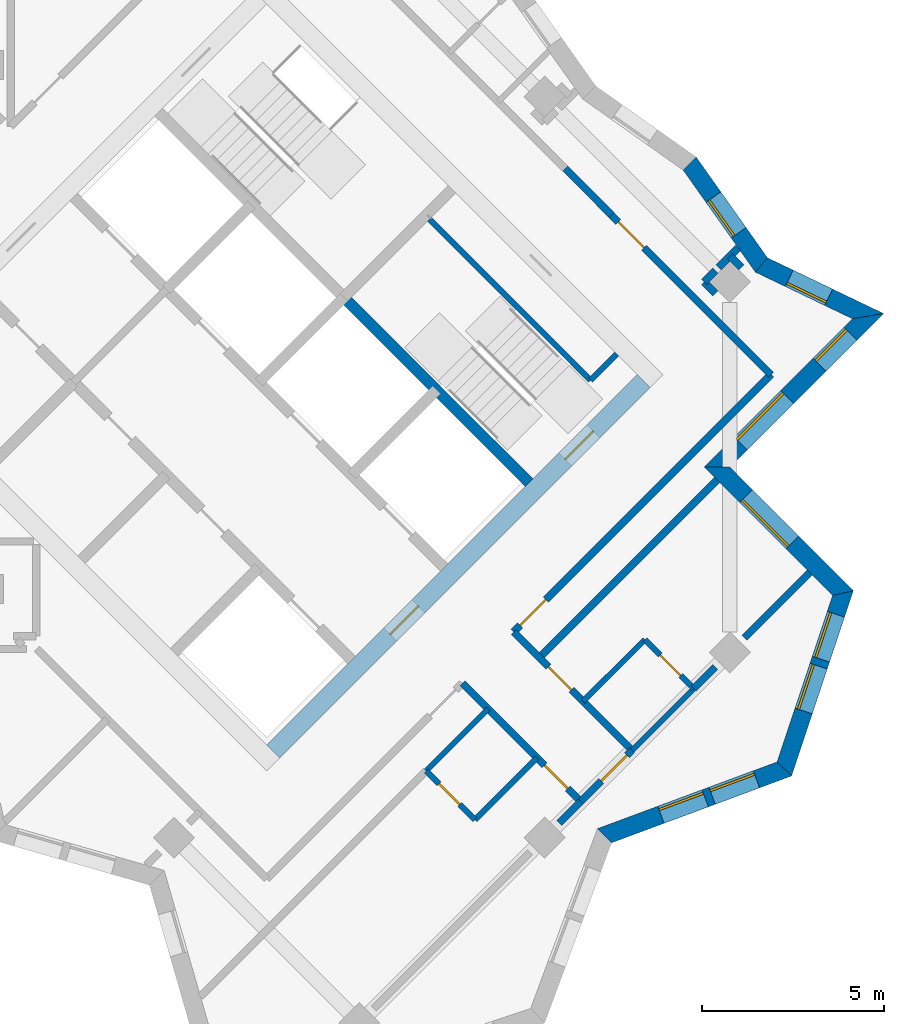
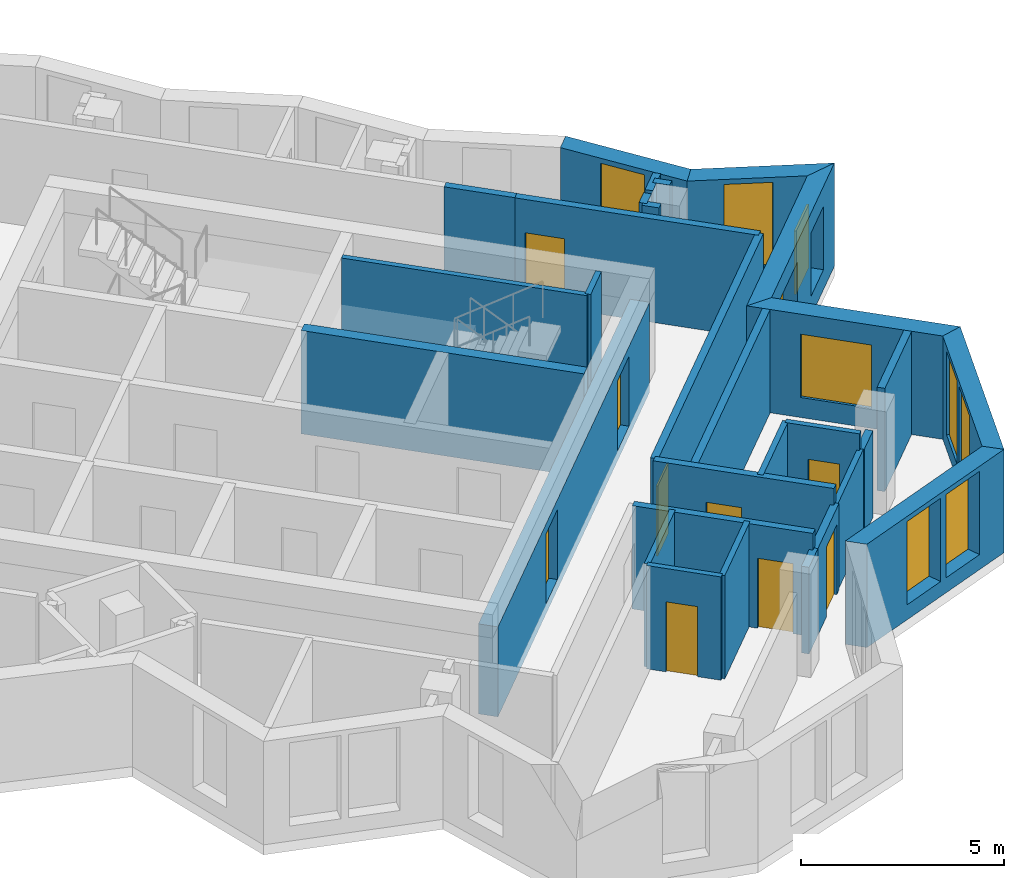
# One storey, part 9 of 13: 30 walls, 9 doors, 9 windows, 18 openings.
"""IFC4 building model written with IfcOpenShell, lengths in metres."""

from ifc_helpers import new_model, si_unit, direction, frame, frame_2d, origin, place, context, subcontext, project, spatial, polyline, rectangle, outline, extrude, material, layer, layer_set, type_object, element, fill, save


model = new_model("IFC4")

# Units and contexts
model_context = context("Model", 3, precision=1e-05, world=origin(), true_north=direction((0.0, 1.0)))
body_context = subcontext(model_context, "Body", "Model", "MODEL_VIEW")
ifc_project = project(units=[si_unit("LENGTHUNIT", "METRE"), si_unit("AREAUNIT", "SQUARE_METRE"), si_unit("VOLUMEUNIT", "CUBIC_METRE"), si_unit("PLANEANGLEUNIT", "RADIAN"), si_unit("MASSUNIT", "GRAM", prefix="KILO")], contexts=[model_context])

# Site, building, storey
site_placement = place(None, origin())
site = spatial("IfcSite", under=ifc_project, at=site_placement, CompositionType="ELEMENT")
building_placement = place(site_placement, origin())
building = spatial("IfcBuilding", under=site, at=building_placement, Name="Windrow Commons", CompositionType="ELEMENT")
storey_placement = place(building_placement, frame((0.0, 0.0, 220.2)))
storey = spatial("IfcBuildingStorey", under=building, at=storey_placement, Name="L60", CompositionType="ELEMENT", Elevation=220.2)

# Wall, openings, windows
ifc_material_1 = material(Name="Brick masonry, red clay brick", Category="masonry")
ifc_layer_1 = layer(ifc_material_1, 0.5)
ifc_layer_set_1 = layer_set([ifc_layer_1], Name="Brick facade wall 500")
wall_type_1 = type_object("IfcWallType", Name="Brick facade wall 500", PredefinedType="SOLIDWALL", material=ifc_layer_set_1)
wall_1_placement = place(storey_placement, frame((96.1175, 36.4148, 0.0), z_axis=(0.0, 0.0, 1.0), x_axis=(0.9374238577, 0.3481903374, 0.0)))
wall_1 = element("IfcWall", 1, at=wall_1_placement, inside=storey, type_object=wall_type_1, Name="Brick facade wall L60 3", PredefinedType="SOLIDWALL", context=body_context, shape_type="SweptSolid", body=[
    extrude(outline(polyline([(0.1146, -0.25), (5.3947, -0.25), (5.1552, 0.25), (-0.1146, 0.25), (0.1146, -0.25)])), origin(), (0.0, 0.0, 1.0), 3.1),
])
opening_1_placement = place(wall_1_placement, frame((1.655, 0.0, 0.45)))
opening_1 = element("IfcOpeningElement", 2, at=opening_1_placement, cuts=wall_1, Name="Opening W1Q", PredefinedType="OPENING", context=body_context, shape_type="SweptSolid", body=[
    extrude(rectangle(XDim=1.3, YDim=2.5, at=frame_2d((0.65, 1.25))), frame((0.0, 0.26, 0.0), z_axis=(0.0, -1.0, 0.0), x_axis=(1.0, 0.0, 0.0)), (0.0, 0.0, 1.0), 0.52),
])
opening_2_placement = place(wall_1_placement, frame((3.155, 0.0, 0.45)))
opening_2 = element("IfcOpeningElement", 3, at=opening_2_placement, cuts=wall_1, Name="Opening W1Q", PredefinedType="OPENING", context=body_context, shape_type="SweptSolid", body=[
    extrude(rectangle(XDim=1.3, YDim=2.5, at=frame_2d((0.65, 1.25))), frame((0.0, 0.26, 0.0), z_axis=(0.0, -1.0, 0.0), x_axis=(1.0, 0.0, 0.0)), (0.0, 0.0, 1.0), 0.52),
])
ifc_material_2 = material(Name="Clear float glass in anodised aluminium frame", Category="aluminium")
window_type_1 = type_object("IfcWindowType", Name="Window W1Q pair 1300x2500", PartitioningType="SINGLE_PANEL", PredefinedType="WINDOW", material=ifc_material_2)
window_1_placement = place(opening_1_placement, origin())
window_1 = element("IfcWindow", 4, at=window_1_placement, inside=storey, type_object=window_type_1, Name="Window L60 3.1A", OverallHeight=2.5, OverallWidth=1.3, PartitioningType="SINGLE_PANEL", PredefinedType="WINDOW", context=body_context, shape_type="SweptSolid", body=[
    extrude(rectangle(XDim=1.3, YDim=2.5, at=frame_2d((0.65, 1.25))), frame((0.0, 0.18, 0.0), z_axis=(0.0, -1.0, 0.0), x_axis=(1.0, 0.0, 0.0)), (0.0, 0.0, 1.0), 0.06),
])
fill(opening_1, window_1)
window_2_placement = place(opening_2_placement, origin())
window_2 = element("IfcWindow", 5, at=window_2_placement, inside=storey, type_object=window_type_1, Name="Window L60 3.1B", OverallHeight=2.5, OverallWidth=1.3, PartitioningType="SINGLE_PANEL", PredefinedType="WINDOW", context=body_context, shape_type="SweptSolid", body=[
    extrude(rectangle(XDim=1.3, YDim=2.5, at=frame_2d((0.65, 1.25))), frame((0.0, 0.18, 0.0), z_axis=(0.0, -1.0, 0.0), x_axis=(1.0, 0.0, 0.0)), (0.0, 0.0, 1.0), 0.06),
])
fill(opening_2, window_2)

wall_2_placement = place(storey_placement, frame((101.0624, 38.2515, 0.0), z_axis=(0.0, 0.0, 1.0), x_axis=(0.3162395484, 0.9486793705, 0.0)))
wall_2 = element("IfcWall", 6, at=wall_2_placement, inside=storey, type_object=wall_type_1, Name="Brick facade wall L60 4", PredefinedType="SOLIDWALL", context=body_context, shape_type="SweptSolid", body=[
    extrude(outline(polyline([(-0.1197, -0.25), (5.2468, -0.25), (4.9378, 0.25), (0.1197, 0.25), (-0.1197, -0.25)])), origin(), (0.0, 0.0, 1.0), 3.1),
])
opening_3_placement = place(wall_2_placement, frame((1.6796, 0.0, 0.45)))
opening_3 = element("IfcOpeningElement", 7, at=opening_3_placement, cuts=wall_2, Name="Opening W1Q", PredefinedType="OPENING", context=body_context, shape_type="SweptSolid", body=[
    extrude(rectangle(XDim=1.3, YDim=2.5, at=frame_2d((0.65, 1.25))), frame((0.0, 0.26, 0.0), z_axis=(0.0, -1.0, 0.0), x_axis=(1.0, 0.0, 0.0)), (0.0, 0.0, 1.0), 0.52),
])
opening_4_placement = place(wall_2_placement, frame((3.1796, 0.0, 0.45)))
opening_4 = element("IfcOpeningElement", 8, at=opening_4_placement, cuts=wall_2, Name="Opening W1Q", PredefinedType="OPENING", context=body_context, shape_type="SweptSolid", body=[
    extrude(rectangle(XDim=1.3, YDim=2.5, at=frame_2d((0.65, 1.25))), frame((0.0, 0.26, 0.0), z_axis=(0.0, -1.0, 0.0), x_axis=(1.0, 0.0, 0.0)), (0.0, 0.0, 1.0), 0.52),
])
window_3_placement = place(opening_3_placement, origin())
window_3 = element("IfcWindow", 9, at=window_3_placement, inside=storey, type_object=window_type_1, Name="Window L60 4.1A", OverallHeight=2.5, OverallWidth=1.3, PartitioningType="SINGLE_PANEL", PredefinedType="WINDOW", context=body_context, shape_type="SweptSolid", body=[
    extrude(rectangle(XDim=1.3, YDim=2.5, at=frame_2d((0.65, 1.25))), frame((0.0, 0.18, 0.0), z_axis=(0.0, -1.0, 0.0), x_axis=(1.0, 0.0, 0.0)), (0.0, 0.0, 1.0), 0.06),
])
fill(opening_3, window_3)
window_4_placement = place(opening_4_placement, origin())
window_4 = element("IfcWindow", 10, at=window_4_placement, inside=storey, type_object=window_type_1, Name="Window L60 4.1B", OverallHeight=2.5, OverallWidth=1.3, PartitioningType="SINGLE_PANEL", PredefinedType="WINDOW", context=body_context, shape_type="SweptSolid", body=[
    extrude(rectangle(XDim=1.3, YDim=2.5, at=frame_2d((0.65, 1.25))), frame((0.0, 0.18, 0.0), z_axis=(0.0, -1.0, 0.0), x_axis=(1.0, 0.0, 0.0)), (0.0, 0.0, 1.0), 0.06),
])
fill(opening_4, window_4)

# Wall, opening, window
wall_3_placement = place(storey_placement, frame((102.6728, 43.0825, 0.0), z_axis=(0.0, 0.0, 1.0), x_axis=(-0.7071067812, 0.7071067812, 0.0)))
wall_3 = element("IfcWall", 11, at=wall_3_placement, inside=storey, type_object=wall_type_1, Name="Brick facade wall L60 5", PredefinedType="SOLIDWALL", context=body_context, shape_type="SweptSolid", body=[
    extrude(outline(polyline([(-0.1545, -0.25), (4.6455, -0.25), (5.1455, 0.25), (0.1545, 0.25), (-0.1545, -0.25)])), origin(), (0.0, 0.0, 1.0), 3.1),
])
opening_5_placement = place(wall_3_placement, frame((1.9705, 0.0, 0.6)))
opening_5 = element("IfcOpeningElement", 12, at=opening_5_placement, cuts=wall_3, Name="Opening W1L", PredefinedType="OPENING", context=body_context, shape_type="SweptSolid", body=[
    extrude(rectangle(XDim=1.8, YDim=1.9, at=frame_2d((0.9, 0.95))), frame((0.0, 0.26, 0.0), z_axis=(0.0, -1.0, 0.0), x_axis=(1.0, 0.0, 0.0)), (0.0, 0.0, 1.0), 0.52),
])
ifc_material_3 = material(Name="Clear float glass in anodised aluminium frame", Category="aluminium")
window_type_2 = type_object("IfcWindowType", Name="Window W1L bedroom 1800x1900", PartitioningType="SINGLE_PANEL", PredefinedType="WINDOW", material=ifc_material_3)
window_5_placement = place(opening_5_placement, origin())
window_5 = element("IfcWindow", 13, at=window_5_placement, inside=storey, type_object=window_type_2, Name="Window L60 5.1", OverallHeight=1.9, OverallWidth=1.8, PartitioningType="SINGLE_PANEL", PredefinedType="WINDOW", context=body_context, shape_type="SweptSolid", body=[
    extrude(rectangle(XDim=1.8, YDim=1.9, at=frame_2d((0.9, 0.95))), frame((0.0, 0.18, 0.0), z_axis=(0.0, -1.0, 0.0), x_axis=(1.0, 0.0, 0.0)), (0.0, 0.0, 1.0), 0.06),
])
fill(opening_5, window_5)

# Wall, openings, windows
wall_4_placement = place(storey_placement, frame((99.2111, 46.5442, 0.0), z_axis=(0.0, 0.0, 1.0), x_axis=(0.7071067812, 0.7071067812, 0.0)))
wall_4 = element("IfcWall", 14, at=wall_4_placement, inside=storey, type_object=wall_type_1, Name="Brick facade wall L60 6", PredefinedType="SOLIDWALL", context=body_context, shape_type="SweptSolid", body=[
    extrude(outline(polyline([(0.25, -0.25), (6.222, -0.25), (5.5165, 0.25), (-0.25, 0.25), (0.25, -0.25)])), origin(), (0.0, 0.0, 1.0), 3.1),
])
opening_6_placement = place(wall_4_placement, frame((0.925, 0.0, 0.6)))
opening_6 = element("IfcOpeningElement", 15, at=opening_6_placement, cuts=wall_4, Name="Opening W1L", PredefinedType="OPENING", context=body_context, shape_type="SweptSolid", body=[
    extrude(rectangle(XDim=1.8, YDim=1.9, at=frame_2d((0.9, 0.95))), frame((0.0, 0.26, 0.0), z_axis=(0.0, -1.0, 0.0), x_axis=(1.0, 0.0, 0.0)), (0.0, 0.0, 1.0), 0.52),
])
opening_7_placement = place(wall_4_placement, frame((3.9832, 0.0, 0.6)))
opening_7 = element("IfcOpeningElement", 16, at=opening_7_placement, cuts=wall_4, Name="Opening W7G", PredefinedType="OPENING", context=body_context, shape_type="SweptSolid", body=[
    extrude(rectangle(XDim=1.2, YDim=1.9, at=frame_2d((0.6, 0.95))), frame((0.0, 0.26, 0.0), z_axis=(0.0, -1.0, 0.0), x_axis=(1.0, 0.0, 0.0)), (0.0, 0.0, 1.0), 0.52),
])
window_6_placement = place(opening_6_placement, origin())
window_6 = element("IfcWindow", 17, at=window_6_placement, inside=storey, type_object=window_type_2, Name="Window L60 6.1", OverallHeight=1.9, OverallWidth=1.8, PartitioningType="SINGLE_PANEL", PredefinedType="WINDOW", context=body_context, shape_type="SweptSolid", body=[
    extrude(rectangle(XDim=1.8, YDim=1.9, at=frame_2d((0.9, 0.95))), frame((0.0, 0.18, 0.0), z_axis=(0.0, -1.0, 0.0), x_axis=(1.0, 0.0, 0.0)), (0.0, 0.0, 1.0), 0.06),
])
fill(opening_6, window_6)
ifc_material_4 = material(Name="Clear float glass in anodised aluminium frame", Category="aluminium")
window_type_3 = type_object("IfcWindowType", Name="Window W7 notch 1200x1900", PartitioningType="SINGLE_PANEL", PredefinedType="WINDOW", material=ifc_material_4)
window_7_placement = place(opening_7_placement, origin())
window_7 = element("IfcWindow", 18, at=window_7_placement, inside=storey, type_object=window_type_3, Name="Window L60 6.2", OverallHeight=1.9, OverallWidth=1.2, PartitioningType="SINGLE_PANEL", PredefinedType="WINDOW", context=body_context, shape_type="SweptSolid", body=[
    extrude(rectangle(XDim=1.2, YDim=1.9, at=frame_2d((0.6, 0.95))), frame((0.0, 0.18, 0.0), z_axis=(0.0, -1.0, 0.0), x_axis=(1.0, 0.0, 0.0)), (0.0, 0.0, 1.0), 0.06),
])
fill(opening_7, window_7)

# Wall, opening, window
wall_5_placement = place(storey_placement, frame((103.3613, 50.6944, 0.0), z_axis=(0.0, 0.0, 1.0), x_axis=(-0.9014217251, 0.4329421133, 0.0)))
wall_5 = element("IfcWall", 19, at=wall_5_placement, inside=storey, type_object=wall_type_1, Name="Brick facade wall L60 7", PredefinedType="SOLIDWALL", context=body_context, shape_type="SweptSolid", body=[
    extrude(outline(polyline([(-0.3527, -0.25), (3.1853, -0.25), (3.3149, 0.25), (0.3527, 0.25), (-0.3527, -0.25)])), origin(), (0.0, 0.0, 1.0), 3.1),
])
opening_8_placement = place(wall_5_placement, frame((1.2014, 0.0, 0.45)))
opening_8 = element("IfcOpeningElement", 20, at=opening_8_placement, cuts=wall_5, Name="Opening W7E", PredefinedType="OPENING", context=body_context, shape_type="SweptSolid", body=[
    extrude(rectangle(XDim=1.2, YDim=2.5, at=frame_2d((0.6, 1.25))), frame((0.0, 0.26, 0.0), z_axis=(0.0, -1.0, 0.0), x_axis=(1.0, 0.0, 0.0)), (0.0, 0.0, 1.0), 0.52),
])
ifc_material_5 = material(Name="Clear float glass in anodised aluminium frame", Category="aluminium")
window_type_4 = type_object("IfcWindowType", Name="Window W7 notch 1200x2500", PartitioningType="SINGLE_PANEL", PredefinedType="WINDOW", material=ifc_material_5)
window_8_placement = place(opening_8_placement, origin())
window_8 = element("IfcWindow", 21, at=window_8_placement, inside=storey, type_object=window_type_4, Name="Window L60 7.1", OverallHeight=2.5, OverallWidth=1.2, PartitioningType="SINGLE_PANEL", PredefinedType="WINDOW", context=body_context, shape_type="SweptSolid", body=[
    extrude(rectangle(XDim=1.2, YDim=2.5, at=frame_2d((0.6, 1.25))), frame((0.0, 0.18, 0.0), z_axis=(0.0, -1.0, 0.0), x_axis=(1.0, 0.0, 0.0)), (0.0, 0.0, 1.0), 0.06),
])
fill(opening_8, window_8)

wall_6_placement = place(storey_placement, frame((100.4316, 52.1015, 0.0), z_axis=(0.0, 0.0, 1.0), x_axis=(-0.5775248088, 0.8163731348, 0.0)))
wall_6 = element("IfcWall", 22, at=wall_6_placement, inside=storey, type_object=wall_type_1, Name="Brick facade wall L60 8", PredefinedType="SOLIDWALL", context=body_context, shape_type="SweptSolid", body=[
    extrude(outline(polyline([(0.0648, -0.25), (3.4517, -0.25), (3.366, 0.25), (-0.0648, 0.25), (0.0648, -0.25)])), origin(), (0.0, 0.0, 1.0), 3.1),
])
opening_9_placement = place(wall_6_placement, frame((1.083, 0.0, 0.45)))
opening_9 = element("IfcOpeningElement", 23, at=opening_9_placement, cuts=wall_6, Name="Opening W7E", PredefinedType="OPENING", context=body_context, shape_type="SweptSolid", body=[
    extrude(rectangle(XDim=1.2, YDim=2.5, at=frame_2d((0.6, 1.25))), frame((0.0, 0.26, 0.0), z_axis=(0.0, -1.0, 0.0), x_axis=(1.0, 0.0, 0.0)), (0.0, 0.0, 1.0), 0.52),
])
window_9_placement = place(opening_9_placement, origin())
window_9 = element("IfcWindow", 24, at=window_9_placement, inside=storey, type_object=window_type_4, Name="Window L60 8.1", OverallHeight=2.5, OverallWidth=1.2, PartitioningType="SINGLE_PANEL", PredefinedType="WINDOW", context=body_context, shape_type="SweptSolid", body=[
    extrude(rectangle(XDim=1.2, YDim=2.5, at=frame_2d((0.6, 1.25))), frame((0.0, 0.18, 0.0), z_axis=(0.0, -1.0, 0.0), x_axis=(1.0, 0.0, 0.0)), (0.0, 0.0, 1.0), 0.06),
])
fill(opening_9, window_9)

# Wall, opening, door
ifc_material_6 = material(Name="Blockwork partition", Category="masonry")
ifc_layer_2 = layer(ifc_material_6, 0.2)
ifc_layer_set_2 = layer_set([ifc_layer_2], Name="IW-CORRIDOR-200")
wall_type_2 = type_object("IfcWallType", Name="IW-CORRIDOR-200", PredefinedType="PARTITIONING", material=ifc_layer_set_2)
wall_7_placement = place(storey_placement, frame((93.6253, 42.0207, 0.0), z_axis=(0.0, 0.0, 1.0), x_axis=(0.7071067812, 0.7071067812, 0.0)))
wall_7 = element("IfcWall", 25, at=wall_7_placement, inside=storey, type_object=wall_type_2, Name="W-L60-W009", PredefinedType="PARTITIONING", context=body_context, shape_type="SweptSolid", body=[
    extrude(rectangle(XDim=9.9985, YDim=0.2, at=frame_2d((4.9992, 0.0))), origin(), (0.0, 0.0, 1.0), 3.1),
])
opening_10_placement = place(wall_7_placement, frame((0.2476, 0.0, 0.0)))
opening_10 = element("IfcOpeningElement", 26, at=opening_10_placement, cuts=wall_7, Name="Opening D310F", PredefinedType="OPENING", context=body_context, shape_type="SweptSolid", body=[
    extrude(rectangle(XDim=1.0, YDim=2.1, at=frame_2d((0.5, 1.05))), frame((0.0, 0.11, 0.0), z_axis=(0.0, -1.0, 0.0), x_axis=(1.0, 0.0, 0.0)), (0.0, 0.0, 1.0), 0.22),
])
ifc_material_7 = material(Name="Timber door leaf", Category="wood")
door_type_1 = type_object("IfcDoorType", Name="DT-AMENITY-1000", OperationType="SINGLE_SWING_LEFT", PredefinedType="DOOR", material=ifc_material_7)
door_1_placement = place(opening_10_placement, origin())
door_1 = element("IfcDoor", 27, at=door_1_placement, inside=storey, type_object=door_type_1, Name="D-L60-D045", OperationType="SINGLE_SWING_LEFT", OverallHeight=2.1, OverallWidth=1.0, PredefinedType="DOOR", context=body_context, shape_type="SweptSolid", body=[
    extrude(rectangle(XDim=1.0, YDim=2.1, at=frame_2d((0.5, 1.05))), frame((0.0, 0.025, 0.0), z_axis=(0.0, -1.0, 0.0), x_axis=(1.0, 0.0, 0.0)), (0.0, 0.0, 1.0), 0.05),
])
fill(opening_10, door_1)

wall_8_placement = place(storey_placement, frame((96.3087, 53.4707, 0.0), z_axis=(0.0, 0.0, 1.0), x_axis=(0.7071067812, -0.7071067812, 0.0)))
wall_8 = element("IfcWall", 28, at=wall_8_placement, inside=storey, type_object=wall_type_2, Name="W-L60-W025", PredefinedType="PARTITIONING", context=body_context, shape_type="SweptSolid", body=[
    extrude(rectangle(XDim=6.1999, YDim=0.2, at=frame_2d((3.1, 0.0))), origin(), (0.0, 0.0, 1.0), 3.1),
])
opening_11_placement = place(wall_8_placement, frame((0.2626, 0.0, 0.0)))
opening_11 = element("IfcOpeningElement", 29, at=opening_11_placement, cuts=wall_8, Name="Opening D310F", PredefinedType="OPENING", context=body_context, shape_type="SweptSolid", body=[
    extrude(rectangle(XDim=1.0, YDim=2.1, at=frame_2d((0.5, 1.05))), frame((0.0, 0.11, 0.0), z_axis=(0.0, -1.0, 0.0), x_axis=(1.0, 0.0, 0.0)), (0.0, 0.0, 1.0), 0.22),
])
door_2_placement = place(opening_11_placement, origin())
door_2 = element("IfcDoor", 30, at=door_2_placement, inside=storey, type_object=door_type_1, Name="D-L60-D048", OperationType="SINGLE_SWING_LEFT", OverallHeight=2.1, OverallWidth=1.0, PredefinedType="DOOR", context=body_context, shape_type="SweptSolid", body=[
    extrude(rectangle(XDim=1.0, YDim=2.1, at=frame_2d((0.5, 1.05))), frame((0.0, 0.025, 0.0), z_axis=(0.0, -1.0, 0.0), x_axis=(1.0, 0.0, 0.0)), (0.0, 0.0, 1.0), 0.05),
])
fill(opening_11, door_2)

wall_9_placement = place(storey_placement, frame((93.6226, 42.0146, 0.0), z_axis=(0.0, 0.0, 1.0), x_axis=(0.7071067812, -0.7071067812, 0.0)))
wall_9 = element("IfcWall", 31, at=wall_9_placement, inside=storey, type_object=wall_type_2, Name="W-L60-W038", PredefinedType="PARTITIONING", context=body_context, shape_type="SweptSolid", body=[
    extrude(rectangle(XDim=4.599, YDim=0.2, at=frame_2d((2.2995, 0.0))), origin(), (0.0, 0.0, 1.0), 3.1),
])
opening_12_placement = place(wall_9_placement, frame((1.3488, 0.0, 0.0)))
opening_12 = element("IfcOpeningElement", 32, at=opening_12_placement, cuts=wall_9, Name="Opening D109S", PredefinedType="OPENING", context=body_context, shape_type="SweptSolid", body=[
    extrude(rectangle(XDim=0.9, YDim=2.1, at=frame_2d((0.45, 1.05))), frame((0.0, 0.11, 0.0), z_axis=(0.0, -1.0, 0.0), x_axis=(1.0, 0.0, 0.0)), (0.0, 0.0, 1.0), 0.22),
])
ifc_material_8 = material(Name="Timber door leaf", Category="wood")
door_type_2 = type_object("IfcDoorType", Name="DT-BEDROOM-900", OperationType="SINGLE_SWING_LEFT", PredefinedType="DOOR", material=ifc_material_8)
door_3_placement = place(opening_12_placement, origin())
door_3 = element("IfcDoor", 33, at=door_3_placement, inside=storey, type_object=door_type_2, Name="D-L60-D052", OperationType="SINGLE_SWING_RIGHT", OverallHeight=2.1, OverallWidth=0.9, PredefinedType="DOOR", context=body_context, shape_type="SweptSolid", body=[
    extrude(rectangle(XDim=0.9, YDim=2.1, at=frame_2d((0.45, 1.05))), frame((0.0, 0.025, 0.0), z_axis=(0.0, -1.0, 0.0), x_axis=(1.0, 0.0, 0.0)), (0.0, 0.0, 1.0), 0.05),
])
fill(opening_12, door_3)

wall_10_placement = place(storey_placement, frame((92.2155, 40.6075, 0.0), z_axis=(0.0, 0.0, 1.0), x_axis=(0.7071067812, -0.7071067812, 0.0)))
wall_10 = element("IfcWall", 34, at=wall_10_placement, inside=storey, type_object=wall_type_2, Name="W-L60-W039", PredefinedType="PARTITIONING", context=body_context, shape_type="SweptSolid", body=[
    extrude(rectangle(XDim=4.599, YDim=0.2, at=frame_2d((2.2995, 0.0))), origin(), (0.0, 0.0, 1.0), 3.1),
])
opening_13_placement = place(wall_10_placement, frame((3.1888, 0.0, 0.0)))
opening_13 = element("IfcOpeningElement", 35, at=opening_13_placement, cuts=wall_10, Name="Opening D109S", PredefinedType="OPENING", context=body_context, shape_type="SweptSolid", body=[
    extrude(rectangle(XDim=0.9, YDim=2.1, at=frame_2d((0.45, 1.05))), frame((0.0, 0.11, 0.0), z_axis=(0.0, -1.0, 0.0), x_axis=(1.0, 0.0, 0.0)), (0.0, 0.0, 1.0), 0.22),
])
door_4_placement = place(opening_13_placement, origin())
door_4 = element("IfcDoor", 36, at=door_4_placement, inside=storey, type_object=door_type_2, Name="D-L60-D054", OperationType="SINGLE_SWING_LEFT", OverallHeight=2.1, OverallWidth=0.9, PredefinedType="DOOR", context=body_context, shape_type="SweptSolid", body=[
    extrude(rectangle(XDim=0.9, YDim=2.1, at=frame_2d((0.45, 1.05))), frame((0.0, 0.025, 0.0), z_axis=(0.0, -1.0, 0.0), x_axis=(1.0, 0.0, 0.0)), (0.0, 0.0, 1.0), 0.05),
])
fill(opening_13, door_4)

wall_11_placement = place(storey_placement, frame((95.463, 37.353, 0.0), z_axis=(0.0, 0.0, 1.0), x_axis=(0.7071067812, 0.7071067812, 0.0)))
wall_11 = element("IfcWall", 37, at=wall_11_placement, inside=storey, type_object=wall_type_2, Name="W-L60-W111", PredefinedType="PARTITIONING", context=body_context, shape_type="SweptSolid", body=[
    extrude(rectangle(XDim=1.9997, YDim=0.2, at=frame_2d((0.9999, 0.0))), origin(), (0.0, 0.0, 1.0), 2.6),
])
opening_14_placement = place(wall_11_placement, frame((0.8023, 0.0, 0.0)))
opening_14 = element("IfcOpeningElement", 38, at=opening_14_placement, cuts=wall_11, Name="Opening D310F", PredefinedType="OPENING", context=body_context, shape_type="SweptSolid", body=[
    extrude(rectangle(XDim=1.0, YDim=2.1, at=frame_2d((0.5, 1.05))), frame((0.0, 0.11, 0.0), z_axis=(0.0, -1.0, 0.0), x_axis=(1.0, 0.0, 0.0)), (0.0, 0.0, 1.0), 0.22),
])
door_5_placement = place(opening_14_placement, origin())
door_5 = element("IfcDoor", 39, at=door_5_placement, inside=storey, type_object=door_type_1, Name="D-L60-D056", OperationType="SINGLE_SWING_RIGHT", OverallHeight=2.1, OverallWidth=1.0, PredefinedType="DOOR", context=body_context, shape_type="SweptSolid", body=[
    extrude(rectangle(XDim=1.0, YDim=2.1, at=frame_2d((0.5, 1.05))), frame((0.0, 0.025, 0.0), z_axis=(0.0, -1.0, 0.0), x_axis=(1.0, 0.0, 0.0)), (0.0, 0.0, 1.0), 0.05),
])
fill(opening_14, door_5)

# Walls
wall_12_placement = place(storey_placement, frame((95.0411, 54.7491, 0.0), z_axis=(0.0, 0.0, 1.0), x_axis=(0.7065510983, -0.7076620277, 0.0)))
element("IfcWall", 40, at=wall_12_placement, inside=storey, type_object=wall_type_2, Name="W-L60-W126", PredefinedType="PARTITIONING", context=body_context, shape_type="SweptSolid", body=[
    extrude(rectangle(XDim=1.8003, YDim=0.2, at=frame_2d((0.9002, 0.0))), origin(), (0.0, 0.0, 1.0), 3.1),
])
ifc_material_9 = material(Name="Blockwork partition", Category="masonry")
ifc_layer_3 = layer(ifc_material_9, 0.15)
ifc_layer_set_3 = layer_set([ifc_layer_3], Name="IW-ENSUITE-150")
wall_type_3 = type_object("IfcWallType", Name="IW-ENSUITE-150", PredefinedType="PARTITIONING", material=ifc_layer_set_3)
for number, where, z_axis, x_axis, name in (
    (41, (92.5629, 36.8571, 0.0), (0.0, 0.0, 1.0), (0.7071067812, 0.7071067812, 0.0), "W-L60-W071"),
    (42, (91.2194, 38.2006, 0.0), (0.0, 0.0, 1.0), (0.7071067812, 0.7071067812, 0.0), "W-L60-W072"),
):
    element("IfcWall", number, at=place(storey_placement, frame(where, z_axis=z_axis, x_axis=x_axis)), inside=storey, type_object=wall_type_3, Name=name, PredefinedType="PARTITIONING", context=body_context, shape_type="SweptSolid", body=[
        extrude(rectangle(XDim=2.4013, YDim=0.15, at=frame_2d((1.2006, 0.0))), origin(), (0.0, 0.0, 1.0), 3.1),
    ])
wall_13_placement = place(storey_placement, frame((96.8795, 38.7645, 0.0), z_axis=(0.0, 0.0, 1.0), x_axis=(0.706689978, 0.7075233388, 0.0)))
element("IfcWall", 43, at=wall_13_placement, inside=storey, type_object=wall_type_3, Name="W-L60-W101", PredefinedType="PARTITIONING", context=body_context, shape_type="SweptSolid", body=[
    extrude(rectangle(XDim=2.3999, YDim=0.15, at=frame_2d((1.2, 0.0))), origin(), (0.0, 0.0, 1.0), 2.6),
])
wall_14_placement = place(storey_placement, frame((95.5311, 40.1129, 0.0), z_axis=(0.0, 0.0, 1.0), x_axis=(0.7075233388, 0.706689978, 0.0)))
element("IfcWall", 44, at=wall_14_placement, inside=storey, type_object=wall_type_3, Name="W-L60-W102", PredefinedType="PARTITIONING", context=body_context, shape_type="SweptSolid", body=[
    extrude(rectangle(XDim=2.3999, YDim=0.15, at=frame_2d((1.2, 0.0))), origin(), (0.0, 0.0, 1.0), 3.1),
])

# Wall, opening, door
wall_15_placement = place(storey_placement, frame((91.2173, 38.1973, 0.0), z_axis=(0.0, 0.0, 1.0), x_axis=(0.7071067812, -0.7071067812, 0.0)))
wall_15 = element("IfcWall", 45, at=wall_15_placement, inside=storey, type_object=wall_type_3, Name="W-L60-W116", PredefinedType="PARTITIONING", context=body_context, shape_type="SweptSolid", body=[
    extrude(rectangle(XDim=1.9007, YDim=0.15, at=frame_2d((0.9504, 0.0))), origin(), (0.0, 0.0, 1.0), 3.1),
])
opening_15_placement = place(wall_15_placement, frame((0.5024, 0.0, 0.0)))
opening_15 = element("IfcOpeningElement", 46, at=opening_15_placement, cuts=wall_15, Name="Opening D208N", PredefinedType="OPENING", context=body_context, shape_type="SweptSolid", body=[
    extrude(rectangle(XDim=0.8, YDim=2.1, at=frame_2d((0.4, 1.05))), frame((0.0, 0.085, 0.0), z_axis=(0.0, -1.0, 0.0), x_axis=(1.0, 0.0, 0.0)), (0.0, 0.0, 1.0), 0.17),
])
ifc_material_10 = material(Name="Timber door leaf", Category="wood")
door_type_3 = type_object("IfcDoorType", Name="DT-ENSUITE-800", OperationType="SINGLE_SWING_LEFT", PredefinedType="DOOR", material=ifc_material_10)
door_6_placement = place(opening_15_placement, origin())
door_6 = element("IfcDoor", 47, at=door_6_placement, inside=storey, type_object=door_type_3, Name="D-L60-D055", OperationType="SINGLE_SWING_RIGHT", OverallHeight=2.1, OverallWidth=0.8, PredefinedType="DOOR", context=body_context, shape_type="SweptSolid", body=[
    extrude(rectangle(XDim=0.8, YDim=2.1, at=frame_2d((0.4, 1.05))), frame((0.0, 0.025, 0.0), z_axis=(0.0, -1.0, 0.0), x_axis=(1.0, 0.0, 0.0)), (0.0, 0.0, 1.0), 0.05),
])
fill(opening_15, door_6)

wall_16_placement = place(storey_placement, frame((97.2287, 41.8027, 0.0), z_axis=(0.0, 0.0, 1.0), x_axis=(0.7071067812, -0.7071067812, 0.0)))
wall_16 = element("IfcWall", 48, at=wall_16_placement, inside=storey, type_object=wall_type_3, Name="W-L60-W125", PredefinedType="PARTITIONING", context=body_context, shape_type="SweptSolid", body=[
    extrude(rectangle(XDim=1.8979, YDim=0.15, at=frame_2d((0.9489, 0.0))), origin(), (0.0, 0.0, 1.0), 3.1),
])
opening_16_placement = place(wall_16_placement, frame((0.5942, 0.0, 0.0)))
opening_16 = element("IfcOpeningElement", 49, at=opening_16_placement, cuts=wall_16, Name="Opening D208N", PredefinedType="OPENING", context=body_context, shape_type="SweptSolid", body=[
    extrude(rectangle(XDim=0.8, YDim=2.1, at=frame_2d((0.4, 1.05))), frame((0.0, 0.085, 0.0), z_axis=(0.0, -1.0, 0.0), x_axis=(1.0, 0.0, 0.0)), (0.0, 0.0, 1.0), 0.17),
])
door_7_placement = place(opening_16_placement, origin())
door_7 = element("IfcDoor", 50, at=door_7_placement, inside=storey, type_object=door_type_3, Name="D-L60-D053", OperationType="SINGLE_SWING_RIGHT", OverallHeight=2.1, OverallWidth=0.8, PredefinedType="DOOR", context=body_context, shape_type="SweptSolid", body=[
    extrude(rectangle(XDim=0.8, YDim=2.1, at=frame_2d((0.4, 1.05))), frame((0.0, 0.025, 0.0), z_axis=(0.0, -1.0, 0.0), x_axis=(1.0, 0.0, 0.0)), (0.0, 0.0, 1.0), 0.05),
])
fill(opening_16, door_7)

# Walls
ifc_material_11 = material(Name="Blockwork partition", Category="masonry")
ifc_layer_4 = layer(ifc_material_11, 0.2)
ifc_layer_set_4 = layer_set([ifc_layer_4], Name="IW-PARTY-200")
wall_type_4 = type_object("IfcWallType", Name="IW-PARTY-200", PredefinedType="PARTITIONING", material=ifc_layer_set_4)
wall_17_placement = place(storey_placement, frame((94.3314, 41.3126, 0.0), z_axis=(0.0, 0.0, 1.0), x_axis=(0.7072516979, 0.7069618347, 0.0)))
element("IfcWall", 51, at=wall_17_placement, inside=storey, type_object=wall_type_4, Name="W-L60-W017", PredefinedType="PARTITIONING", context=body_context, shape_type="SweptSolid", body=[
    extrude(rectangle(XDim=6.8998, YDim=0.2, at=frame_2d((3.4499, 0.0))), origin(), (0.0, 0.0, 1.0), 3.1),
])
wall_18_placement = place(storey_placement, frame((99.964, 41.854, 0.0), z_axis=(0.0, 0.0, 1.0), x_axis=(0.7071265121, 0.7070870497, 0.0)))
element("IfcWall", 52, at=wall_18_placement, inside=storey, type_object=wall_type_4, Name="W-L60-W070", PredefinedType="PARTITIONING", context=body_context, shape_type="SweptSolid", body=[
    extrude(rectangle(XDim=2.5341, YDim=0.2, at=frame_2d((1.2671, 0.0))), origin(), (0.0, 0.0, 1.0), 3.1),
])
for number, where, z_axis, x_axis, name in (
    (53, (98.574, 40.464, 0.0), (0.0, 0.0, 1.0), (0.7071067812, 0.7071067812, 0.0), "W-L60-W146"),
    (54, (94.873, 36.763, 0.0), (0.0, 0.0, 1.0), (0.7071067812, 0.7071067812, 0.0), "W-L60-W147"),
):
    element("IfcWall", number, at=place(storey_placement, frame(where, z_axis=z_axis, x_axis=x_axis)), inside=storey, type_object=wall_type_4, Name=name, PredefinedType="PARTITIONING", context=body_context, shape_type="SweptSolid", body=[
        extrude(rectangle(XDim=0.8344, YDim=0.2, at=frame_2d((0.4172, 0.0))), origin(), (0.0, 0.0, 1.0), 2.6),
    ])
for number, where, z_axis, x_axis, name in (
    (55, (98.8533, 51.6327, 0.0), (0.0, 0.0, 1.0), (0.7071067812, 0.7071067812, 0.0), "W-L60-W171"),
    (56, (98.8542, 51.6322, 0.0), (0.0, 0.0, 1.0), (0.7071067812, -0.7071067812, 0.0), "W-L60-W175"),
    (57, (99.5684, 52.3464, 0.0), (0.0, 0.0, 1.0), (0.7071067812, -0.7071067812, 0.0), "W-L60-W176"),
):
    element("IfcWall", number, at=place(storey_placement, frame(where, z_axis=z_axis, x_axis=x_axis)), inside=storey, type_object=wall_type_4, Name=name, PredefinedType="PARTITIONING", context=body_context, shape_type="SweptSolid", body=[
        extrude(rectangle(XDim=0.4384, YDim=0.2, at=frame_2d((0.2192, 0.0))), origin(), (0.0, 0.0, 1.0), 3.1),
    ])
wall_19_placement = place(storey_placement, frame((99.2573, 52.0367, 0.0), z_axis=(0.0, 0.0, 1.0), x_axis=(0.7071067812, 0.7071067812, 0.0)))
element("IfcWall", 58, at=wall_19_placement, inside=storey, type_object=wall_type_4, Name="W-L60-W182", PredefinedType="PARTITIONING", context=body_context, shape_type="SweptSolid", body=[
    extrude(rectangle(XDim=0.757, YDim=0.2, at=frame_2d((0.3785, 0.0))), origin(), (0.0, 0.0, 1.0), 3.1),
])

# Wall, openings, doors
ifc_material_12 = material(Name="Concrete C40/50", Category="concrete")
ifc_layer_5 = layer(ifc_material_12, 0.5)
ifc_layer_set_5 = layer_set([ifc_layer_5], Name="RC CORE WALL 500 C40/50")
wall_type_5 = type_object("IfcWallType", Name="RC CORE WALL 500 C40/50", PredefinedType="SHEAR", material=ifc_layer_set_5)
wall_20_placement = place(storey_placement, frame((87.0135, 38.7306, -0.3), z_axis=(0.0, 0.0, 1.0), x_axis=(0.7071067812, 0.7071067812, 0.0)))
wall_20 = element("IfcWall", 59, at=wall_20_placement, inside=storey, type_object=wall_type_5, Name="Core B wall outer-E", PredefinedType="SHEAR", context=body_context, shape_type="SweptSolid", body=[
    extrude(rectangle(XDim=14.4001, YDim=0.5, at=frame_2d((7.2001, 0.0))), origin(), (0.0, 0.0, 1.0), 2.7),
])
opening_17_placement = place(wall_20_placement, frame((4.55, 0.0, 0.3)))
opening_17 = element("IfcOpeningElement", 60, at=opening_17_placement, cuts=wall_20, Name="Opening D6", PredefinedType="OPENING", context=body_context, shape_type="SweptSolid", body=[
    extrude(rectangle(XDim=1.1, YDim=2.1, at=frame_2d((0.55, 1.05))), frame((0.0, 0.26, 0.0), z_axis=(0.0, -1.0, 0.0), x_axis=(1.0, 0.0, 0.0)), (0.0, 0.0, 1.0), 0.52),
])
opening_18_placement = place(wall_20_placement, frame((11.35, 0.0, 0.3)))
opening_18 = element("IfcOpeningElement", 61, at=opening_18_placement, cuts=wall_20, Name="Opening D7", PredefinedType="OPENING", context=body_context, shape_type="SweptSolid", body=[
    extrude(rectangle(XDim=1.1, YDim=2.1, at=frame_2d((0.55, 1.05))), frame((0.0, 0.26, 0.0), z_axis=(0.0, -1.0, 0.0), x_axis=(1.0, 0.0, 0.0)), (0.0, 0.0, 1.0), 0.52),
])
ifc_material_13 = material(Name="Steel fire door leaf", Category="steel")
door_type_4 = type_object("IfcDoorType", Name="Core lobby door 1100", OperationType="SINGLE_SWING_LEFT", PredefinedType="DOOR", material=ifc_material_13)
door_8_placement = place(opening_17_placement, origin())
door_8 = element("IfcDoor", 62, at=door_8_placement, inside=storey, type_object=door_type_4, Name="Lift lobby door", OperationType="DOUBLE_DOOR_SINGLE_SWING", OverallHeight=2.1, OverallWidth=1.1, PredefinedType="DOOR", context=body_context, shape_type="SweptSolid", body=[
    extrude(rectangle(XDim=1.1, YDim=2.1, at=frame_2d((0.55, 1.05))), frame((0.0, 0.025, 0.0), z_axis=(0.0, -1.0, 0.0), x_axis=(1.0, 0.0, 0.0)), (0.0, 0.0, 1.0), 0.05),
])
fill(opening_17, door_8)
ifc_material_14 = material(Name="Steel fire door leaf", Category="steel")
door_type_5 = type_object("IfcDoorType", Name="Stair door 1100", OperationType="SINGLE_SWING_LEFT", PredefinedType="DOOR", material=ifc_material_14)
door_9_placement = place(opening_18_placement, origin())
door_9 = element("IfcDoor", 63, at=door_9_placement, inside=storey, type_object=door_type_5, Name="Stair door", OperationType="SINGLE_SWING_RIGHT", OverallHeight=2.1, OverallWidth=1.1, PredefinedType="DOOR", context=body_context, shape_type="SweptSolid", body=[
    extrude(rectangle(XDim=1.1, YDim=2.1, at=frame_2d((0.55, 1.05))), frame((0.0, 0.025, 0.0), z_axis=(0.0, -1.0, 0.0), x_axis=(1.0, 0.0, 0.0)), (0.0, 0.0, 1.0), 0.05),
])
fill(opening_18, door_9)

# Walls
ifc_material_15 = material(Name="Concrete C40/50", Category="concrete")
ifc_layer_6 = layer(ifc_material_15, 0.3)
ifc_layer_set_6 = layer_set([ifc_layer_6], Name="RC SHAFT WALL 300 C40/50")
wall_type_6 = type_object("IfcWallType", Name="RC SHAFT WALL 300 C40/50", PredefinedType="SOLIDWALL", material=ifc_layer_set_6)
wall_21_placement = place(storey_placement, frame((88.9581, 51.2111, 0.0), z_axis=(0.0, 0.0, 1.0), x_axis=(0.7070998367, -0.7071137256, 0.0)))
element("IfcWall", 64, at=wall_21_placement, inside=storey, type_object=wall_type_6, Name="Core B wall stair-S2", PredefinedType="SOLIDWALL", context=body_context, shape_type="SweptSolid", body=[
    extrude(rectangle(XDim=7.2, YDim=0.3, at=frame_2d((3.6, 0.0))), origin(), (0.0, 0.0, 1.0), 3.1),
])
ifc_material_16 = material(Name="Blockwork partition", Category="masonry")
ifc_layer_7 = layer(ifc_material_16, 0.15)
ifc_layer_set_7 = layer_set([ifc_layer_7], Name="Riser partition 150")
wall_type_7 = type_object("IfcWallType", Name="Riser partition 150", PredefinedType="PARTITIONING", material=ifc_layer_set_7)
wall_22_placement = place(storey_placement, frame((91.3127, 53.3536, 0.0), z_axis=(0.0, 0.0, 1.0), x_axis=(0.7071147811, -0.7070987812, 0.0)))
element("IfcWall", 65, at=wall_22_placement, inside=storey, type_object=wall_type_7, Name="W-core-strip-B-L60", PredefinedType="PARTITIONING", context=body_context, shape_type="SweptSolid", body=[
    extrude(rectangle(XDim=6.25, YDim=0.15, at=frame_2d((3.125, 0.0))), origin(), (0.0, 0.0, 1.0), 3.1),
])
wall_23_placement = place(storey_placement, frame((95.7322, 48.9342, 0.0), z_axis=(0.0, 0.0, 1.0), x_axis=(0.7071067812, 0.7071067812, 0.0)))
element("IfcWall", 66, at=wall_23_placement, inside=storey, type_object=wall_type_7, Name="W-core-stripx-B-L60-1", PredefinedType="PARTITIONING", context=body_context, shape_type="SweptSolid", body=[
    extrude(rectangle(XDim=1.0199, YDim=0.15, at=frame_2d((0.51, 0.0))), origin(), (0.0, 0.0, 1.0), 3.1),
])

save(model, "model.ifc")
